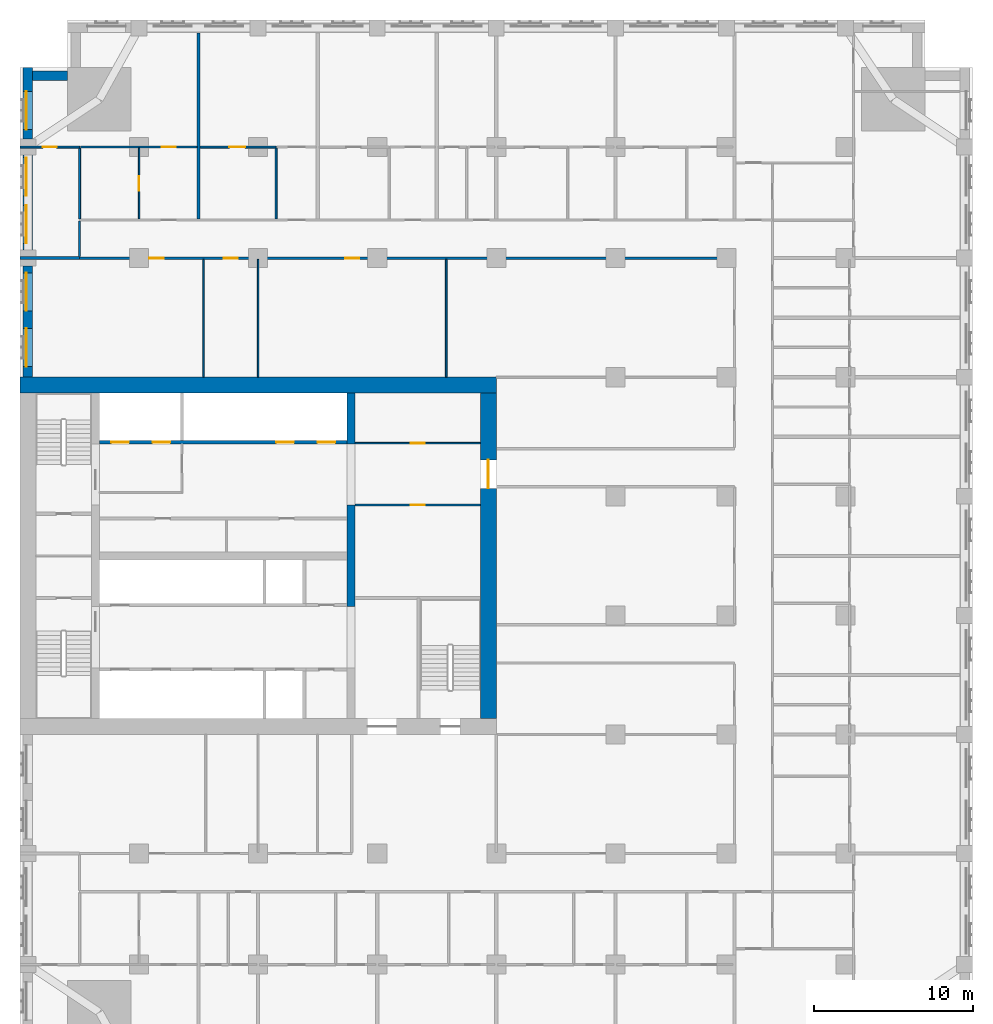
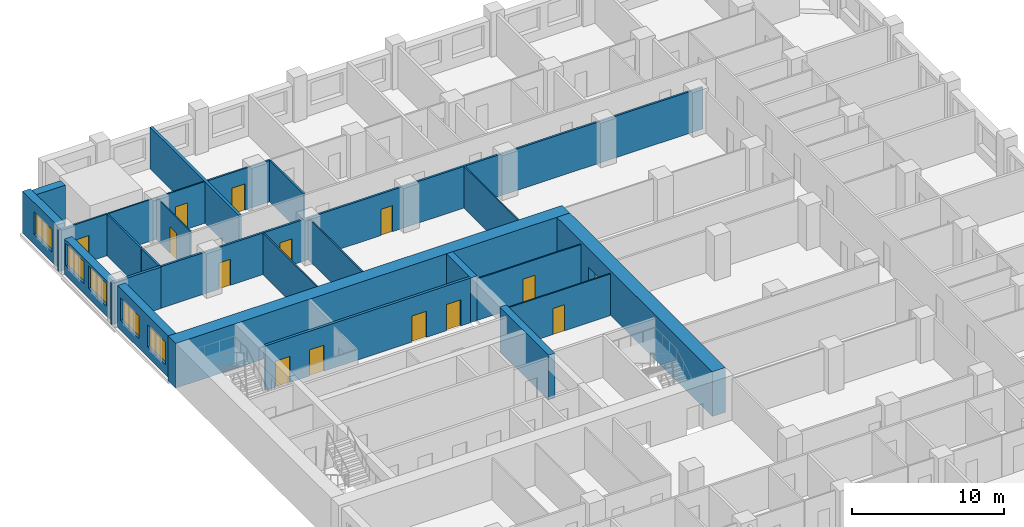
# One storey, part 8 of 14: 24 walls, 14 doors, 5 windows, 19 openings.
"""IFC4 building model written with IfcOpenShell, lengths in metres."""

from ifc_helpers import new_model, si_unit, direction, frame, frame_2d, origin, place, context, subcontext, project, spatial, rectangle, extrude, material, layer, layer_set, type_object, element, fill, save


model = new_model("IFC4")

# Units and contexts
model_context = context("Model", 3, precision=1e-05, world=origin(), true_north=direction((0.0, 1.0)))
body_context = subcontext(model_context, "Body", "Model", "MODEL_VIEW")
ifc_project = project(units=[si_unit("LENGTHUNIT", "METRE"), si_unit("AREAUNIT", "SQUARE_METRE"), si_unit("VOLUMEUNIT", "CUBIC_METRE"), si_unit("PLANEANGLEUNIT", "RADIAN"), si_unit("MASSUNIT", "GRAM", prefix="KILO")], contexts=[model_context])

# Site, building, storey
site_placement = place(None, origin())
site = spatial("IfcSite", under=ifc_project, at=site_placement, CompositionType="ELEMENT")
building_placement = place(site_placement, origin())
building = spatial("IfcBuilding", under=site, at=building_placement, Name="Tamorin Gate", CompositionType="ELEMENT")
storey_placement = place(building_placement, frame((0.0, 0.0, 44.800048828125)))
storey = spatial("IfcBuildingStorey", under=building, at=storey_placement, Name="L09", CompositionType="ELEMENT", Elevation=44.800048828125)

# Wall
ifc_material_1 = material(Name="Precast concrete C40/50", Category="concrete")
ifc_layer_1 = layer(ifc_material_1, 0.60009765625)
ifc_layer_set_1 = layer_set([ifc_layer_1], Name="Precast concrete C40/50")
wall_type_1 = type_object("IfcWallType", Name="Board-marked concrete facade panel 600", PredefinedType="SOLIDWALL", material=ifc_layer_set_1)
wall_1_placement = place(storey_placement, frame((33.0, 101.5, 0.0), z_axis=(0.0, 0.0, 1.0), x_axis=(-1.0, 0.0, 0.0)))
element("IfcWall", 1, at=wall_1_placement, inside=storey, type_object=wall_type_1, Name="Facade panel", PredefinedType="SOLIDWALL", context=body_context, shape_type="SweptSolid", body=[
    extrude(rectangle(XDim=2.199951171875, YDim=0.60009765625, at=frame_2d((1.10009765625, 0.0))), origin(), (0.0, 0.0, 1.0), 3.349853515625),
])

# Wall, opening, window
wall_2_placement = place(storey_placement, frame((30.5, 102.0, 0.0), z_axis=(0.0, 0.0, 1.0), x_axis=(0.0, -1.0, 0.0)))
wall_2 = element("IfcWall", 2, at=wall_2_placement, inside=storey, type_object=wall_type_1, Name="Facade panel", PredefinedType="SOLIDWALL", context=body_context, shape_type="SweptSolid", body=[
    extrude(rectangle(XDim=4.5, YDim=0.60009765625, at=frame_2d((2.25, 0.0))), origin(), (0.0, 0.0, 1.0), 3.349853515625),
])
opening_1_placement = place(wall_2_placement, frame((1.5, 0.0, 0.800048828125)))
opening_1 = element("IfcOpeningElement", 3, at=opening_1_placement, cuts=wall_2, Name="Opening WN1", PredefinedType="OPENING", context=body_context, shape_type="SweptSolid", body=[
    extrude(rectangle(XDim=2.39990234375, YDim=1.800048828125, at=frame_2d((1.199951171875, 0.89990234375))), frame((0.0, 0.31005859375, 0.0), z_axis=(0.0, -1.0, 0.0), x_axis=(1.0, 0.0, 0.0)), (0.0, 0.0, 1.0), 0.6201171875),
])
ifc_material_2 = material(Name="Clear glass in aluminium frame", Category="aluminium")
window_type = type_object("IfcWindowType", Name="Deep-set window 2400x1800", PartitioningType="SINGLE_PANEL", PredefinedType="WINDOW", material=ifc_material_2)
window_1_placement = place(opening_1_placement, origin())
window_1 = element("IfcWindow", 4, at=window_1_placement, inside=storey, type_object=window_type, Name="Deep-set window", OverallHeight=1.800048828125, OverallWidth=2.39990234375, PartitioningType="SINGLE_PANEL", PredefinedType="WINDOW", context=body_context, shape_type="SweptSolid", body=[
    extrude(rectangle(XDim=2.39990234375, YDim=1.800048828125, at=frame_2d((1.199951171875, 0.89990234375))), frame((0.0, -0.070068359375, 0.0), z_axis=(0.0, -1.0, 0.0), x_axis=(1.0, 0.0, 0.0)), (0.0, 0.0, 1.0), 0.06005859375),
])
fill(opening_1, window_1)

# Wall, openings, windows
wall_3_placement = place(storey_placement, frame((30.5, 96.5, 0.0), z_axis=(0.0, 0.0, 1.0), x_axis=(0.0, -1.0, 0.0)))
wall_3 = element("IfcWall", 5, at=wall_3_placement, inside=storey, type_object=wall_type_1, Name="Facade panel", PredefinedType="SOLIDWALL", context=body_context, shape_type="SweptSolid", body=[
    extrude(rectangle(XDim=6.0, YDim=0.60009765625, at=frame_2d((3.0, 0.0))), origin(), (0.0, 0.0, 1.0), 2.849853515625),
])
opening_2_placement = place(wall_3_placement, frame((3.175048828125, 0.0, 0.800048828125)))
opening_2 = element("IfcOpeningElement", 6, at=opening_2_placement, cuts=wall_3, Name="Opening WN1", PredefinedType="OPENING", context=body_context, shape_type="SweptSolid", body=[
    extrude(rectangle(XDim=2.39990234375, YDim=1.800048828125, at=frame_2d((1.199951171875, 0.89990234375))), frame((0.0, 0.31005859375, 0.0), z_axis=(0.0, -1.0, 0.0), x_axis=(1.0, 0.0, 0.0)), (0.0, 0.0, 1.0), 0.6201171875),
])
opening_3_placement = place(wall_3_placement, frame((0.175048828125, 0.0, 0.800048828125)))
opening_3 = element("IfcOpeningElement", 7, at=opening_3_placement, cuts=wall_3, Name="Opening WN1", PredefinedType="OPENING", context=body_context, shape_type="SweptSolid", body=[
    extrude(rectangle(XDim=2.39990234375, YDim=1.800048828125, at=frame_2d((1.199951171875, 0.89990234375))), frame((0.0, 0.31005859375, 0.0), z_axis=(0.0, -1.0, 0.0), x_axis=(1.0, 0.0, 0.0)), (0.0, 0.0, 1.0), 0.6201171875),
])
window_2_placement = place(opening_2_placement, origin())
window_2 = element("IfcWindow", 8, at=window_2_placement, inside=storey, type_object=window_type, Name="Deep-set window", OverallHeight=1.800048828125, OverallWidth=2.39990234375, PartitioningType="SINGLE_PANEL", PredefinedType="WINDOW", context=body_context, shape_type="SweptSolid", body=[
    extrude(rectangle(XDim=2.39990234375, YDim=1.800048828125, at=frame_2d((1.199951171875, 0.89990234375))), frame((0.0, -0.070068359375, 0.0), z_axis=(0.0, -1.0, 0.0), x_axis=(1.0, 0.0, 0.0)), (0.0, 0.0, 1.0), 0.06005859375),
])
fill(opening_2, window_2)
window_3_placement = place(opening_3_placement, origin())
window_3 = element("IfcWindow", 9, at=window_3_placement, inside=storey, type_object=window_type, Name="Deep-set window", OverallHeight=1.800048828125, OverallWidth=2.39990234375, PartitioningType="SINGLE_PANEL", PredefinedType="WINDOW", context=body_context, shape_type="SweptSolid", body=[
    extrude(rectangle(XDim=2.39990234375, YDim=1.800048828125, at=frame_2d((1.199951171875, 0.89990234375))), frame((0.0, -0.070068359375, 0.0), z_axis=(0.0, -1.0, 0.0), x_axis=(1.0, 0.0, 0.0)), (0.0, 0.0, 1.0), 0.06005859375),
])
fill(opening_3, window_3)

wall_4_placement = place(storey_placement, frame((30.5, 89.5, 0.0), z_axis=(0.0, 0.0, 1.0), x_axis=(0.0, -1.0, 0.0)))
wall_4 = element("IfcWall", 10, at=wall_4_placement, inside=storey, type_object=wall_type_1, Name="Facade panel", PredefinedType="SOLIDWALL", context=body_context, shape_type="SweptSolid", body=[
    extrude(rectangle(XDim=7.0, YDim=0.60009765625, at=frame_2d((3.5, 0.0))), origin(), (0.0, 0.0, 1.0), 3.349853515625),
])
opening_4_placement = place(wall_4_placement, frame((3.925048828125, 0.0, 0.800048828125)))
opening_4 = element("IfcOpeningElement", 11, at=opening_4_placement, cuts=wall_4, Name="Opening WN1", PredefinedType="OPENING", context=body_context, shape_type="SweptSolid", body=[
    extrude(rectangle(XDim=2.39990234375, YDim=1.800048828125, at=frame_2d((1.199951171875, 0.89990234375))), frame((0.0, 0.31005859375, 0.0), z_axis=(0.0, -1.0, 0.0), x_axis=(1.0, 0.0, 0.0)), (0.0, 0.0, 1.0), 0.6201171875),
])
opening_5_placement = place(wall_4_placement, frame((0.425048828125, 0.0, 0.800048828125)))
opening_5 = element("IfcOpeningElement", 12, at=opening_5_placement, cuts=wall_4, Name="Opening WN1", PredefinedType="OPENING", context=body_context, shape_type="SweptSolid", body=[
    extrude(rectangle(XDim=2.39990234375, YDim=1.800048828125, at=frame_2d((1.199951171875, 0.89990234375))), frame((0.0, 0.31005859375, 0.0), z_axis=(0.0, -1.0, 0.0), x_axis=(1.0, 0.0, 0.0)), (0.0, 0.0, 1.0), 0.6201171875),
])
window_4_placement = place(opening_4_placement, origin())
window_4 = element("IfcWindow", 13, at=window_4_placement, inside=storey, type_object=window_type, Name="Deep-set window", OverallHeight=1.800048828125, OverallWidth=2.39990234375, PartitioningType="SINGLE_PANEL", PredefinedType="WINDOW", context=body_context, shape_type="SweptSolid", body=[
    extrude(rectangle(XDim=2.39990234375, YDim=1.800048828125, at=frame_2d((1.199951171875, 0.89990234375))), frame((0.0, -0.070068359375, 0.0), z_axis=(0.0, -1.0, 0.0), x_axis=(1.0, 0.0, 0.0)), (0.0, 0.0, 1.0), 0.06005859375),
])
fill(opening_4, window_4)
window_5_placement = place(opening_5_placement, origin())
window_5 = element("IfcWindow", 14, at=window_5_placement, inside=storey, type_object=window_type, Name="Deep-set window", OverallHeight=1.800048828125, OverallWidth=2.39990234375, PartitioningType="SINGLE_PANEL", PredefinedType="WINDOW", context=body_context, shape_type="SweptSolid", body=[
    extrude(rectangle(XDim=2.39990234375, YDim=1.800048828125, at=frame_2d((1.199951171875, 0.89990234375))), frame((0.0, -0.070068359375, 0.0), z_axis=(0.0, -1.0, 0.0), x_axis=(1.0, 0.0, 0.0)), (0.0, 0.0, 1.0), 0.06005859375),
])
fill(opening_5, window_5)

# Wall, openings, doors
ifc_material_3 = material(Name="Gypsum board partition")
ifc_layer_2 = layer(ifc_material_3, 0.14990234375)
ifc_layer_set_2 = layer_set([ifc_layer_2], Name="Corridor wall 150")
wall_type_2 = type_object("IfcWallType", Name="Corridor wall 150", PredefinedType="PARTITIONING", material=ifc_layer_set_2)
wall_5_placement = place(storey_placement, frame((33.75, 90.0, 0.0), z_axis=(0.0, 0.0, 1.0), x_axis=(1.0, 0.0, 0.0)))
wall_5 = element("IfcWall", 15, at=wall_5_placement, inside=storey, type_object=wall_type_2, Name="Corridor wall 150", PredefinedType="PARTITIONING", context=body_context, shape_type="SweptSolid", body=[
    extrude(rectangle(XDim=41.25, YDim=0.14990234375, at=frame_2d((20.625, 0.0))), origin(), (0.0, 0.0, 1.0), 3.349853515625),
])
opening_6_placement = place(wall_5_placement, frame((4.39990234375, 0.0, 0.0)))
opening_6 = element("IfcOpeningElement", 16, at=opening_6_placement, cuts=wall_5, Name="Opening DH4077", PredefinedType="OPENING", context=body_context, shape_type="SweptSolid", body=[
    extrude(rectangle(XDim=0.89990234375, YDim=2.10009765625, at=frame_2d((0.449951171875, 1.050048828125))), frame((0.0, 0.0849609375, 0.0), z_axis=(0.0, -1.0, 0.0), x_axis=(1.0, 0.0, 0.0)), (0.0, 0.0, 1.0), 0.169921875),
])
opening_7_placement = place(wall_5_placement, frame((9.074951171875, 0.0, 0.0)))
opening_7 = element("IfcOpeningElement", 17, at=opening_7_placement, cuts=wall_5, Name="Opening DH4078", PredefinedType="OPENING", context=body_context, shape_type="SweptSolid", body=[
    extrude(rectangle(XDim=0.89990234375, YDim=2.10009765625, at=frame_2d((0.449951171875, 1.050048828125))), frame((0.0, 0.0849609375, 0.0), z_axis=(0.0, -1.0, 0.0), x_axis=(1.0, 0.0, 0.0)), (0.0, 0.0, 1.0), 0.169921875),
])
opening_8_placement = place(wall_5_placement, frame((16.72509765625, 0.0, 0.0)))
opening_8 = element("IfcOpeningElement", 18, at=opening_8_placement, cuts=wall_5, Name="Opening DH4079", PredefinedType="OPENING", context=body_context, shape_type="SweptSolid", body=[
    extrude(rectangle(XDim=0.89990234375, YDim=2.10009765625, at=frame_2d((0.449951171875, 1.050048828125))), frame((0.0, 0.0849609375, 0.0), z_axis=(0.0, -1.0, 0.0), x_axis=(1.0, 0.0, 0.0)), (0.0, 0.0, 1.0), 0.169921875),
])
ifc_material_4 = material(Name="Timber door leaf", Category="wood")
door_type_1 = type_object("IfcDoorType", Name="Door 900 x 2100 FD30S", OperationType="NOTDEFINED", PredefinedType="DOOR", material=ifc_material_4)
door_1_placement = place(opening_6_placement, origin())
door_1 = element("IfcDoor", 19, at=door_1_placement, inside=storey, type_object=door_type_1, Name="Door DH4077", OperationType="SINGLE_SWING_LEFT", OverallHeight=2.10009765625, OverallWidth=0.89990234375, PredefinedType="DOOR", context=body_context, shape_type="SweptSolid", body=[
    extrude(rectangle(XDim=0.89990234375, YDim=2.10009765625, at=frame_2d((0.449951171875, 1.050048828125))), frame((0.0, 0.02490234375, 0.0), z_axis=(0.0, -1.0, 0.0), x_axis=(1.0, 0.0, 0.0)), (0.0, 0.0, 1.0), 0.050048828125),
])
fill(opening_6, door_1)
door_2_placement = place(opening_7_placement, origin())
door_2 = element("IfcDoor", 20, at=door_2_placement, inside=storey, type_object=door_type_1, Name="Door DH4078", OperationType="SINGLE_SWING_RIGHT", OverallHeight=2.10009765625, OverallWidth=0.89990234375, PredefinedType="DOOR", context=body_context, shape_type="SweptSolid", body=[
    extrude(rectangle(XDim=0.89990234375, YDim=2.10009765625, at=frame_2d((0.449951171875, 1.050048828125))), frame((0.0, 0.02490234375, 0.0), z_axis=(0.0, -1.0, 0.0), x_axis=(1.0, 0.0, 0.0)), (0.0, 0.0, 1.0), 0.050048828125),
])
fill(opening_7, door_2)
door_3_placement = place(opening_8_placement, origin())
door_3 = element("IfcDoor", 21, at=door_3_placement, inside=storey, type_object=door_type_1, Name="Door DH4079", OperationType="SINGLE_SWING_RIGHT", OverallHeight=2.10009765625, OverallWidth=0.89990234375, PredefinedType="DOOR", context=body_context, shape_type="SweptSolid", body=[
    extrude(rectangle(XDim=0.89990234375, YDim=2.10009765625, at=frame_2d((0.449951171875, 1.050048828125))), frame((0.0, 0.02490234375, 0.0), z_axis=(0.0, -1.0, 0.0), x_axis=(1.0, 0.0, 0.0)), (0.0, 0.0, 1.0), 0.050048828125),
])
fill(opening_8, door_3)

# Walls
wall_6_placement = place(storey_placement, frame((33.75, 90.10009765625, 0.0), z_axis=(0.0, 0.0, 1.0), x_axis=(0.0, 1.0, 0.0)))
element("IfcWall", 22, at=wall_6_placement, inside=storey, type_object=wall_type_2, Name="Corridor wall 150", PredefinedType="PARTITIONING", context=body_context, shape_type="SweptSolid", body=[
    extrude(rectangle(XDim=2.224853515625, YDim=0.14990234375, at=frame_2d((1.1123046875, 0.0))), origin(), (0.0, 0.0, 1.0), 3.349853515625),
])
ifc_layer_3 = layer(ifc_material_3, 0.199951171875)
ifc_layer_set_3 = layer_set([ifc_layer_3], Name="Demising wall 200")
wall_type_3 = type_object("IfcWallType", Name="Demising wall 200", PredefinedType="PARTITIONING", material=ifc_layer_set_3)
wall_7_placement = place(storey_placement, frame((30.0, 90.0, 0.0), z_axis=(0.0, 0.0, 1.0), x_axis=(1.0, 0.0, 0.0)))
element("IfcWall", 23, at=wall_7_placement, inside=storey, type_object=wall_type_3, Name="Demising wall 200", PredefinedType="PARTITIONING", context=body_context, shape_type="SweptSolid", body=[
    extrude(rectangle(XDim=3.75, YDim=0.199951171875, at=frame_2d((1.875, 0.0))), origin(), (0.0, 0.0, 1.0), 3.349853515625),
])
wall_8_placement = place(storey_placement, frame((41.25, 92.47509765625, 0.0), z_axis=(0.0, 0.0, 1.0), x_axis=(0.0, 1.0, 0.0)))
element("IfcWall", 24, at=wall_8_placement, inside=storey, type_object=wall_type_3, Name="Demising wall 200", PredefinedType="PARTITIONING", context=body_context, shape_type="SweptSolid", body=[
    extrude(rectangle(XDim=11.71484375, YDim=0.199951171875, at=frame_2d((5.857421875, 0.0))), origin(), (0.0, 0.0, 1.0), 3.349853515625),
])

# Wall, openings, doors
ifc_material_5 = material(Name="Concrete C32/40", Category="concrete")
ifc_layer_4 = layer(ifc_material_5, 0.199951171875)
ifc_layer_set_4 = layer_set([ifc_layer_4], Name="Lift lobby face wall 200 EI 120")
wall_type_4 = type_object("IfcWallType", Name="Lift lobby face wall 200 EI 120", PredefinedType="SOLIDWALL", material=ifc_layer_set_4)
wall_9_placement = place(storey_placement, frame((35.0, 78.39990234375, 0.0), z_axis=(0.0, 0.0, 1.0), x_axis=(1.0, 0.0, 0.0)))
wall_9 = element("IfcWall", 25, at=wall_9_placement, inside=storey, type_object=wall_type_4, Name="Lift lobby face wall", PredefinedType="SOLIDWALL", context=body_context, shape_type="SweptSolid", body=[
    extrude(rectangle(XDim=15.60009765625, YDim=0.199951171875, at=frame_2d((7.800048828125, 0.0))), origin(), (0.0, 0.0, 1.0), 3.599853515625),
])
opening_9_placement = place(wall_9_placement, frame((0.75, 0.0, 0.0)))
opening_9 = element("IfcOpeningElement", 26, at=opening_9_placement, cuts=wall_9, Name="Opening LD17", PredefinedType="OPENING", context=body_context, shape_type="SweptSolid", body=[
    extrude(rectangle(XDim=1.10009765625, YDim=2.10009765625, at=frame_2d((0.550048828125, 1.050048828125))), frame((0.0, 0.10986328125, 0.0), z_axis=(0.0, -1.0, 0.0), x_axis=(1.0, 0.0, 0.0)), (0.0, 0.0, 1.0), 0.219970703125),
])
opening_10_placement = place(wall_9_placement, frame((3.35009765625, 0.0, 0.0)))
opening_10 = element("IfcOpeningElement", 27, at=opening_10_placement, cuts=wall_9, Name="Opening LD18", PredefinedType="OPENING", context=body_context, shape_type="SweptSolid", body=[
    extrude(rectangle(XDim=1.10009765625, YDim=2.10009765625, at=frame_2d((0.550048828125, 1.050048828125))), frame((0.0, 0.10986328125, 0.0), z_axis=(0.0, -1.0, 0.0), x_axis=(1.0, 0.0, 0.0)), (0.0, 0.0, 1.0), 0.219970703125),
])
opening_11_placement = place(wall_9_placement, frame((11.14990234375, 0.0, 0.0)))
opening_11 = element("IfcOpeningElement", 28, at=opening_11_placement, cuts=wall_9, Name="Opening LD21", PredefinedType="OPENING", context=body_context, shape_type="SweptSolid", body=[
    extrude(rectangle(XDim=1.10009765625, YDim=2.10009765625, at=frame_2d((0.550048828125, 1.050048828125))), frame((0.0, 0.10986328125, 0.0), z_axis=(0.0, -1.0, 0.0), x_axis=(1.0, 0.0, 0.0)), (0.0, 0.0, 1.0), 0.219970703125),
])
opening_12_placement = place(wall_9_placement, frame((13.75, 0.0, 0.0)))
opening_12 = element("IfcOpeningElement", 29, at=opening_12_placement, cuts=wall_9, Name="Opening LD22", PredefinedType="OPENING", context=body_context, shape_type="SweptSolid", body=[
    extrude(rectangle(XDim=1.10009765625, YDim=2.10009765625, at=frame_2d((0.550048828125, 1.050048828125))), frame((0.0, 0.10986328125, 0.0), z_axis=(0.0, -1.0, 0.0), x_axis=(1.0, 0.0, 0.0)), (0.0, 0.0, 1.0), 0.219970703125),
])
ifc_material_6 = material(Name="Stainless steel sliding door", Category="steel")
door_type_2 = type_object("IfcDoorType", Name="Lift landing door 1100 x 2100 E 90", OperationType="DOUBLE_DOOR_SLIDING", PredefinedType="DOOR", material=ifc_material_6)
door_4_placement = place(opening_9_placement, origin())
door_4 = element("IfcDoor", 30, at=door_4_placement, inside=storey, type_object=door_type_2, Name="FF1 landing door", OperationType="DOUBLE_DOOR_SLIDING", OverallHeight=2.10009765625, OverallWidth=1.10009765625, PredefinedType="DOOR", context=body_context, shape_type="SweptSolid", body=[
    extrude(rectangle(XDim=1.10009765625, YDim=2.10009765625, at=frame_2d((0.550048828125, 1.050048828125))), frame((0.0, 0.02490234375, 0.0), z_axis=(0.0, -1.0, 0.0), x_axis=(1.0, 0.0, 0.0)), (0.0, 0.0, 1.0), 0.050048828125),
])
fill(opening_9, door_4)
door_5_placement = place(opening_10_placement, origin())
door_5 = element("IfcDoor", 31, at=door_5_placement, inside=storey, type_object=door_type_2, Name="FF2 landing door", OperationType="DOUBLE_DOOR_SLIDING", OverallHeight=2.10009765625, OverallWidth=1.10009765625, PredefinedType="DOOR", context=body_context, shape_type="SweptSolid", body=[
    extrude(rectangle(XDim=1.10009765625, YDim=2.10009765625, at=frame_2d((0.550048828125, 1.050048828125))), frame((0.0, 0.02490234375, 0.0), z_axis=(0.0, -1.0, 0.0), x_axis=(1.0, 0.0, 0.0)), (0.0, 0.0, 1.0), 0.050048828125),
])
fill(opening_10, door_5)
door_6_placement = place(opening_11_placement, origin())
door_6 = element("IfcDoor", 32, at=door_6_placement, inside=storey, type_object=door_type_2, Name="SV1 landing door", OperationType="DOUBLE_DOOR_SLIDING", OverallHeight=2.10009765625, OverallWidth=1.10009765625, PredefinedType="DOOR", context=body_context, shape_type="SweptSolid", body=[
    extrude(rectangle(XDim=1.10009765625, YDim=2.10009765625, at=frame_2d((0.550048828125, 1.050048828125))), frame((0.0, 0.02490234375, 0.0), z_axis=(0.0, -1.0, 0.0), x_axis=(1.0, 0.0, 0.0)), (0.0, 0.0, 1.0), 0.050048828125),
])
fill(opening_11, door_6)
door_7_placement = place(opening_12_placement, origin())
door_7 = element("IfcDoor", 33, at=door_7_placement, inside=storey, type_object=door_type_2, Name="SV2 landing door", OperationType="DOUBLE_DOOR_SLIDING", OverallHeight=2.10009765625, OverallWidth=1.10009765625, PredefinedType="DOOR", context=body_context, shape_type="SweptSolid", body=[
    extrude(rectangle(XDim=1.10009765625, YDim=2.10009765625, at=frame_2d((0.550048828125, 1.050048828125))), frame((0.0, 0.02490234375, 0.0), z_axis=(0.0, -1.0, 0.0), x_axis=(1.0, 0.0, 0.0)), (0.0, 0.0, 1.0), 0.050048828125),
])
fill(opening_12, door_7)

# Walls
ifc_material_7 = material(Name="Concrete C80/95", Category="concrete")
ifc_layer_5 = layer(ifc_material_7, 0.5)
ifc_layer_set_5 = layer_set([ifc_layer_5], Name="RC core internal wall 500 C80/95")
wall_type_5 = type_object("IfcWallType", Name="RC core internal wall 500 C80/95", PredefinedType="SHEAR", material=ifc_layer_set_5)
wall_10_placement = place(storey_placement, frame((50.85009765625, 68.050048828125, 0.0), z_axis=(0.0, 0.0, 1.0), x_axis=(0.0, 1.0, 0.0)))
element("IfcWall", 34, at=wall_10_placement, inside=storey, type_object=wall_type_5, Name="Core cross wall L09", PredefinedType="SHEAR", context=body_context, shape_type="SweptSolid", body=[
    extrude(rectangle(XDim=6.39990234375, YDim=0.5, at=frame_2d((3.199951171875, 0.0))), origin(), (0.0, 0.0, 1.0), 3.599853515625),
])
wall_11_placement = place(storey_placement, frame((50.85009765625, 78.300048828125, 0.0), z_axis=(0.0, 0.0, 1.0), x_axis=(0.0, 1.0, 0.0)))
element("IfcWall", 35, at=wall_11_placement, inside=storey, type_object=wall_type_5, Name="Core cross wall L09", PredefinedType="SHEAR", context=body_context, shape_type="SweptSolid", body=[
    extrude(rectangle(XDim=3.199951171875, YDim=0.5, at=frame_2d((1.60009765625, 0.0))), origin(), (0.0, 0.0, 1.0), 3.599853515625),
])
ifc_layer_6 = layer(ifc_material_7, 1.0)
ifc_layer_set_6 = layer_set([ifc_layer_6], Name="RC core wall 1000 C80/95")
wall_type_6 = type_object("IfcWallType", Name="RC core wall 1000 C80/95", PredefinedType="SHEAR", material=ifc_layer_set_6)
wall_12_placement = place(storey_placement, frame((30.0, 82.0, 0.0), z_axis=(0.0, 0.0, 1.0), x_axis=(1.0, 0.0, 0.0)))
element("IfcWall", 36, at=wall_12_placement, inside=storey, type_object=wall_type_6, Name="Core wall L09", PredefinedType="SHEAR", context=body_context, shape_type="SweptSolid", body=[
    extrude(rectangle(XDim=30.0, YDim=1.0, at=frame_2d((15.0, 0.0))), origin(), (0.0, 0.0, 1.0), 3.599853515625),
])

# Wall, opening, door
wall_13_placement = place(storey_placement, frame((59.5, 61.0, 0.0), z_axis=(0.0, 0.0, 1.0), x_axis=(0.0, 1.0, 0.0)))
wall_13 = element("IfcWall", 37, at=wall_13_placement, inside=storey, type_object=wall_type_6, Name="Core wall L09", PredefinedType="SHEAR", context=body_context, shape_type="SweptSolid", body=[
    extrude(rectangle(XDim=20.5, YDim=1.0, at=frame_2d((10.25, 0.0))), origin(), (0.0, 0.0, 1.0), 3.599853515625),
])
opening_13_placement = place(wall_13_placement, frame((14.5, 0.0, 0.0)))
opening_13 = element("IfcOpeningElement", 38, at=opening_13_placement, cuts=wall_13, Name="Opening DE1", PredefinedType="OPENING", context=body_context, shape_type="SweptSolid", body=[
    extrude(rectangle(XDim=1.800048828125, YDim=2.10009765625, at=frame_2d((0.89990234375, 1.050048828125))), frame((0.0, 0.510009765625, 0.0), z_axis=(0.0, -1.0, 0.0), x_axis=(1.0, 0.0, 0.0)), (0.0, 0.0, 1.0), 1.02001953125),
])
ifc_material_8 = material(Name="Steel fire door", Category="steel")
door_type_3 = type_object("IfcDoorType", Name="Lobby exit double door 1800 x 2100 EI 60", OperationType="DOUBLE_DOOR_SINGLE_SWING", PredefinedType="DOOR", material=ifc_material_8)
door_8_placement = place(opening_13_placement, origin())
door_8 = element("IfcDoor", 39, at=door_8_placement, inside=storey, type_object=door_type_3, Name="Lift lobby B exit door", OperationType="DOUBLE_DOOR_SINGLE_SWING", OverallHeight=2.10009765625, OverallWidth=1.800048828125, PredefinedType="DOOR", context=body_context, shape_type="SweptSolid", body=[
    extrude(rectangle(XDim=1.800048828125, YDim=2.10009765625, at=frame_2d((0.89990234375, 1.050048828125))), frame((0.0, 0.02490234375, 0.0), z_axis=(0.0, -1.0, 0.0), x_axis=(1.0, 0.0, 0.0)), (0.0, 0.0, 1.0), 0.050048828125),
])
fill(opening_13, door_8)

ifc_layer_7 = layer(ifc_material_3, 0.10009765625)
ifc_layer_set_7 = layer_set([ifc_layer_7], Name="Room partition 100")
wall_type_7 = type_object("IfcWallType", Name="Room partition 100", PredefinedType="PARTITIONING", material=ifc_layer_set_7)
wall_14_placement = place(storey_placement, frame((33.8125, 97.0, 0.0), z_axis=(0.0, 0.0, 1.0), x_axis=(1.0, 0.0, 0.0)))
wall_14 = element("IfcWall", 40, at=wall_14_placement, inside=storey, type_object=wall_type_7, Name="Room partition 100", PredefinedType="PARTITIONING", context=body_context, shape_type="SweptSolid", body=[
    extrude(rectangle(XDim=7.33740234375, YDim=0.10009765625, at=frame_2d((3.668701171875, 0.0))), origin(), (0.0, 0.0, 1.0), 3.349853515625),
])
opening_14_placement = place(wall_14_placement, frame((5.112548828125, 0.0, 0.0)))
opening_14 = element("IfcOpeningElement", 41, at=opening_14_placement, cuts=wall_14, Name="Opening DH4023", PredefinedType="OPENING", context=body_context, shape_type="SweptSolid", body=[
    extrude(rectangle(XDim=0.89990234375, YDim=2.10009765625, at=frame_2d((0.449951171875, 1.050048828125))), frame((0.0, 0.06005859375, 0.0), z_axis=(0.0, -1.0, 0.0), x_axis=(1.0, 0.0, 0.0)), (0.0, 0.0, 1.0), 0.1201171875),
])
door_type_4 = type_object("IfcDoorType", Name="Door 900 x 2100", OperationType="NOTDEFINED", PredefinedType="DOOR", material=ifc_material_4)
door_9_placement = place(opening_14_placement, origin())
door_9 = element("IfcDoor", 42, at=door_9_placement, inside=storey, type_object=door_type_4, Name="Door DH4023", OperationType="SINGLE_SWING_RIGHT", OverallHeight=2.10009765625, OverallWidth=0.89990234375, PredefinedType="DOOR", context=body_context, shape_type="SweptSolid", body=[
    extrude(rectangle(XDim=0.89990234375, YDim=2.10009765625, at=frame_2d((0.449951171875, 1.050048828125))), frame((0.0, 0.02490234375, 0.0), z_axis=(0.0, -1.0, 0.0), x_axis=(1.0, 0.0, 0.0)), (0.0, 0.0, 1.0), 0.050048828125),
])
fill(opening_14, door_9)

wall_15_placement = place(storey_placement, frame((37.5, 92.47509765625, 0.0), z_axis=(0.0, 0.0, 1.0), x_axis=(0.0, 1.0, 0.0)))
wall_15 = element("IfcWall", 43, at=wall_15_placement, inside=storey, type_object=wall_type_7, Name="Room partition 100", PredefinedType="PARTITIONING", context=body_context, shape_type="SweptSolid", body=[
    extrude(rectangle(XDim=4.474853515625, YDim=0.10009765625, at=frame_2d((2.2373046875, 0.0))), origin(), (0.0, 0.0, 1.0), 3.349853515625),
])
opening_15_placement = place(wall_15_placement, frame((1.77490234375, 0.0, 0.0)))
opening_15 = element("IfcOpeningElement", 44, at=opening_15_placement, cuts=wall_15, Name="Opening DH4021", PredefinedType="OPENING", context=body_context, shape_type="SweptSolid", body=[
    extrude(rectangle(XDim=0.89990234375, YDim=2.10009765625, at=frame_2d((0.449951171875, 1.050048828125))), frame((0.0, 0.06005859375, 0.0), z_axis=(0.0, -1.0, 0.0), x_axis=(1.0, 0.0, 0.0)), (0.0, 0.0, 1.0), 0.1201171875),
])
door_10_placement = place(opening_15_placement, origin())
door_10 = element("IfcDoor", 45, at=door_10_placement, inside=storey, type_object=door_type_4, Name="Door DH4021", OperationType="SINGLE_SWING_RIGHT", OverallHeight=2.10009765625, OverallWidth=0.89990234375, PredefinedType="DOOR", context=body_context, shape_type="SweptSolid", body=[
    extrude(rectangle(XDim=0.89990234375, YDim=2.10009765625, at=frame_2d((0.449951171875, 1.050048828125))), frame((0.0, 0.02490234375, 0.0), z_axis=(0.0, -1.0, 0.0), x_axis=(1.0, 0.0, 0.0)), (0.0, 0.0, 1.0), 0.050048828125),
])
fill(opening_15, door_10)

# Walls
for number, where, z_axis, x_axis, name in (
    (46, (41.550048828125, 82.5, 0.0), (0.0, 0.0, 1.0), (0.0, 1.0, 0.0), "Room partition 100"),
    (47, (45.0, 82.5, 0.0), (0.0, 0.0, 1.0), (0.0, 1.0, 0.0), "Room partition 100"),
    (48, (56.85009765625, 82.5, 0.0), (0.0, 0.0, 1.0), (0.0, 1.0, 0.0), "Room partition 100"),
):
    element("IfcWall", number, at=place(storey_placement, frame(where, z_axis=z_axis, x_axis=x_axis)), inside=storey, type_object=wall_type_7, Name=name, PredefinedType="PARTITIONING", context=body_context, shape_type="SweptSolid", body=[
        extrude(rectangle(XDim=7.425048828125, YDim=0.10009765625, at=frame_2d((3.71240234375, 0.0))), origin(), (0.0, 0.0, 1.0), 3.349853515625),
    ])

# Wall, opening, door
ifc_layer_8 = layer(ifc_material_3, 0.10009765625)
ifc_layer_set_8 = layer_set([ifc_layer_8], Name="Service room partition 100 EI 60")
wall_type_8 = type_object("IfcWallType", Name="Service room partition 100 EI 60", PredefinedType="PARTITIONING", material=ifc_layer_set_8)
wall_16_placement = place(storey_placement, frame((51.10009765625, 74.449951171875, 0.0), z_axis=(0.0, 0.0, 1.0), x_axis=(1.0, 0.0, 0.0)))
wall_16 = element("IfcWall", 49, at=wall_16_placement, inside=storey, type_object=wall_type_8, Name="Service room wall", PredefinedType="PARTITIONING", context=body_context, shape_type="SweptSolid", body=[
    extrude(rectangle(XDim=7.89990234375, YDim=0.10009765625, at=frame_2d((3.949951171875, 0.0))), origin(), (0.0, 0.0, 1.0), 3.349853515625),
])
opening_16_placement = place(wall_16_placement, frame((3.5, 0.0, 0.0)))
opening_16 = element("IfcOpeningElement", 50, at=opening_16_placement, cuts=wall_16, Name="Opening DR1", PredefinedType="OPENING", context=body_context, shape_type="SweptSolid", body=[
    extrude(rectangle(XDim=0.89990234375, YDim=2.10009765625, at=frame_2d((0.449951171875, 1.050048828125))), frame((0.0, 0.06005859375, 0.0), z_axis=(0.0, -1.0, 0.0), x_axis=(1.0, 0.0, 0.0)), (0.0, 0.0, 1.0), 0.1201171875),
])
door_type_5 = type_object("IfcDoorType", Name="Riser access door 900 x 2100 EI 120", OperationType="SINGLE_SWING_LEFT", PredefinedType="DOOR", material=ifc_material_8)
door_11_placement = place(opening_16_placement, origin())
door_11 = element("IfcDoor", 51, at=door_11_placement, inside=storey, type_object=door_type_5, Name="Duct riser door", OperationType="SINGLE_SWING_LEFT", OverallHeight=2.10009765625, OverallWidth=0.89990234375, PredefinedType="DOOR", context=body_context, shape_type="SweptSolid", body=[
    extrude(rectangle(XDim=0.89990234375, YDim=2.10009765625, at=frame_2d((0.449951171875, 1.050048828125))), frame((0.0, 0.02490234375, 0.0), z_axis=(0.0, -1.0, 0.0), x_axis=(1.0, 0.0, 0.0)), (0.0, 0.0, 1.0), 0.050048828125),
])
fill(opening_16, door_11)

wall_17_placement = place(storey_placement, frame((51.10009765625, 78.35009765625, 0.0), z_axis=(0.0, 0.0, 1.0), x_axis=(1.0, 0.0, 0.0)))
wall_17 = element("IfcWall", 52, at=wall_17_placement, inside=storey, type_object=wall_type_8, Name="Service room wall", PredefinedType="PARTITIONING", context=body_context, shape_type="SweptSolid", body=[
    extrude(rectangle(XDim=7.89990234375, YDim=0.10009765625, at=frame_2d((3.949951171875, 0.0))), origin(), (0.0, 0.0, 1.0), 3.349853515625),
])
opening_17_placement = place(wall_17_placement, frame((3.5, 0.0, 0.0)))
opening_17 = element("IfcOpeningElement", 53, at=opening_17_placement, cuts=wall_17, Name="Opening DK1", PredefinedType="OPENING", context=body_context, shape_type="SweptSolid", body=[
    extrude(rectangle(XDim=0.89990234375, YDim=2.10009765625, at=frame_2d((0.449951171875, 1.050048828125))), frame((0.0, 0.06005859375, 0.0), z_axis=(0.0, -1.0, 0.0), x_axis=(1.0, 0.0, 0.0)), (0.0, 0.0, 1.0), 0.1201171875),
])
ifc_material_9 = material(Name="Timber fire door", Category="wood")
door_type_6 = type_object("IfcDoorType", Name="Service room door 900 x 2100 EI 60", OperationType="SINGLE_SWING_LEFT", PredefinedType="DOOR", material=ifc_material_9)
door_12_placement = place(opening_17_placement, origin())
door_12 = element("IfcDoor", 54, at=door_12_placement, inside=storey, type_object=door_type_6, Name="Door Linen store", OperationType="SINGLE_SWING_LEFT", OverallHeight=2.10009765625, OverallWidth=0.89990234375, PredefinedType="DOOR", context=body_context, shape_type="SweptSolid", body=[
    extrude(rectangle(XDim=0.89990234375, YDim=2.10009765625, at=frame_2d((0.449951171875, 1.050048828125))), frame((0.0, 0.02490234375, 0.0), z_axis=(0.0, -1.0, 0.0), x_axis=(1.0, 0.0, 0.0)), (0.0, 0.0, 1.0), 0.050048828125),
])
fill(opening_17, door_12)

ifc_layer_9 = layer(ifc_material_3, 0.125)
ifc_layer_set_9 = layer_set([ifc_layer_9], Name="Wet wall 125")
wall_type_9 = type_object("IfcWallType", Name="Wet wall 125", PredefinedType="PARTITIONING", material=ifc_layer_set_9)
wall_18_placement = place(storey_placement, frame((30.0, 97.0, 0.0), z_axis=(0.0, 0.0, 1.0), x_axis=(1.0, 0.0, 0.0)))
wall_18 = element("IfcWall", 55, at=wall_18_placement, inside=storey, type_object=wall_type_9, Name="Wet wall 125", PredefinedType="PARTITIONING", context=body_context, shape_type="SweptSolid", body=[
    extrude(rectangle(XDim=3.75, YDim=0.125, at=frame_2d((1.875, 0.0))), origin(), (0.0, 0.0, 1.0), 3.349853515625),
])
opening_18_placement = place(wall_18_placement, frame((1.425048828125, 0.0, 0.0)))
opening_18 = element("IfcOpeningElement", 56, at=opening_18_placement, cuts=wall_18, Name="Opening DH4020", PredefinedType="OPENING", context=body_context, shape_type="SweptSolid", body=[
    extrude(rectangle(XDim=0.89990234375, YDim=2.10009765625, at=frame_2d((0.449951171875, 1.050048828125))), frame((0.0, 0.072509765625, 0.0), z_axis=(0.0, -1.0, 0.0), x_axis=(1.0, 0.0, 0.0)), (0.0, 0.0, 1.0), 0.14501953125),
])
door_13_placement = place(opening_18_placement, origin())
door_13 = element("IfcDoor", 57, at=door_13_placement, inside=storey, type_object=door_type_4, Name="Door DH4020", OperationType="SINGLE_SWING_RIGHT", OverallHeight=2.10009765625, OverallWidth=0.89990234375, PredefinedType="DOOR", context=body_context, shape_type="SweptSolid", body=[
    extrude(rectangle(XDim=0.89990234375, YDim=2.10009765625, at=frame_2d((0.449951171875, 1.050048828125))), frame((0.0, 0.02490234375, 0.0), z_axis=(0.0, -1.0, 0.0), x_axis=(1.0, 0.0, 0.0)), (0.0, 0.0, 1.0), 0.050048828125),
])
fill(opening_18, door_13)

wall_19_placement = place(storey_placement, frame((41.35009765625, 97.0, 0.0), z_axis=(0.0, 0.0, 1.0), x_axis=(1.0, 0.0, 0.0)))
wall_19 = element("IfcWall", 58, at=wall_19_placement, inside=storey, type_object=wall_type_9, Name="Wet wall 125", PredefinedType="PARTITIONING", context=body_context, shape_type="SweptSolid", body=[
    extrude(rectangle(XDim=4.77490234375, YDim=0.125, at=frame_2d((2.387451171875, 0.0))), origin(), (0.0, 0.0, 1.0), 3.349853515625),
])
opening_19_placement = place(wall_19_placement, frame((1.83740234375, 0.0, 0.0)))
opening_19 = element("IfcOpeningElement", 59, at=opening_19_placement, cuts=wall_19, Name="Opening DH4024", PredefinedType="OPENING", context=body_context, shape_type="SweptSolid", body=[
    extrude(rectangle(XDim=1.0, YDim=2.10009765625, at=frame_2d((0.5, 1.050048828125))), frame((0.0, 0.072509765625, 0.0), z_axis=(0.0, -1.0, 0.0), x_axis=(1.0, 0.0, 0.0)), (0.0, 0.0, 1.0), 0.14501953125),
])
door_type_7 = type_object("IfcDoorType", Name="Door 1000 x 2100", OperationType="NOTDEFINED", PredefinedType="DOOR", material=ifc_material_4)
door_14_placement = place(opening_19_placement, origin())
door_14 = element("IfcDoor", 60, at=door_14_placement, inside=storey, type_object=door_type_7, Name="Door DH4024", OperationType="SINGLE_SWING_RIGHT", OverallHeight=2.10009765625, OverallWidth=1.0, PredefinedType="DOOR", context=body_context, shape_type="SweptSolid", body=[
    extrude(rectangle(XDim=1.0, YDim=2.10009765625, at=frame_2d((0.5, 1.050048828125))), frame((0.0, 0.02490234375, 0.0), z_axis=(0.0, -1.0, 0.0), x_axis=(1.0, 0.0, 0.0)), (0.0, 0.0, 1.0), 0.050048828125),
])
fill(opening_19, door_14)

# Walls
for number, where, z_axis, x_axis, name in (
    (61, (33.75, 92.47509765625, 0.0), (0.0, 0.0, 1.0), (0.0, 1.0, 0.0), "Wet wall 125"),
    (62, (46.125, 92.47509765625, 0.0), (0.0, 0.0, 1.0), (0.0, 1.0, 0.0), "Wet wall 125"),
):
    element("IfcWall", number, at=place(storey_placement, frame(where, z_axis=z_axis, x_axis=x_axis)), inside=storey, type_object=wall_type_9, Name=name, PredefinedType="PARTITIONING", context=body_context, shape_type="SweptSolid", body=[
        extrude(rectangle(XDim=4.46240234375, YDim=0.125, at=frame_2d((2.231201171875, 0.0))), origin(), (0.0, 0.0, 1.0), 3.349853515625),
    ])

save(model, "model.ifc")
